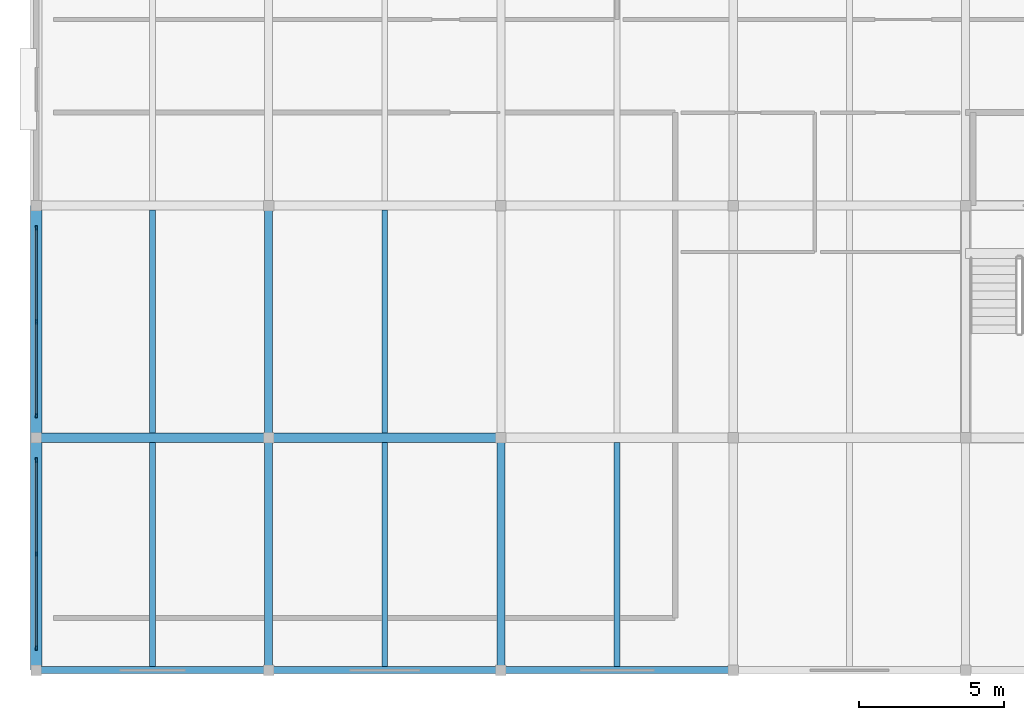
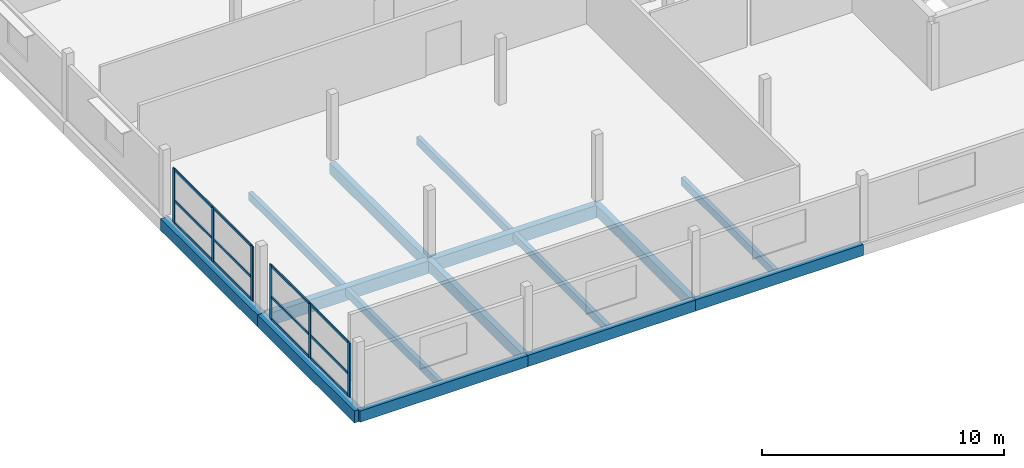
# One storey, part 3 of 22: 18 members, 15 beams, 2 elements without a shape of their own.
"""IFC4 building model written with IfcOpenShell, lengths in metres."""

from ifc_helpers import new_model, si_unit, direction, frame, origin, origin_2d, place, context, subcontext, project, spatial, rectangle, extrude, material, material_profile, profile_set, type_object, element, aggregate, save


model = new_model("IFC4")

# Units and contexts
model_context = context("Model", 3, precision=1e-05, world=origin(), true_north=direction((0.0, 1.0)))
body_context = subcontext(model_context, "Body", "Model", "MODEL_VIEW")
ifc_project = project(units=[si_unit("LENGTHUNIT", "METRE"), si_unit("AREAUNIT", "SQUARE_METRE"), si_unit("VOLUMEUNIT", "CUBIC_METRE"), si_unit("PLANEANGLEUNIT", "RADIAN"), si_unit("MASSUNIT", "GRAM", prefix="KILO")], contexts=[model_context])

# Site, building, storey
site_placement = place(None, origin())
site = spatial("IfcSite", under=ifc_project, at=site_placement, CompositionType="ELEMENT")
building_placement = place(site_placement, origin())
building = spatial("IfcBuilding", under=site, at=building_placement, Name="Vharandega Faculty of Natural Sciences", CompositionType="ELEMENT")
storey_placement = place(building_placement, frame((0.0, 0.0, 28.800048828125)))
storey = spatial("IfcBuildingStorey", under=building, at=storey_placement, Name="L07", CompositionType="ELEMENT", Elevation=28.800048828125)

# Curtain wall, members
ifc_material_1 = material(Name="Aluminium and solar-control glass curtain wall", Category="aluminium")
curtain_wall_type_1 = type_object("IfcCurtainWallType", Name="Unitised Curtain Wall System CW-02", PredefinedType="NOTDEFINED", material=ifc_material_1)
curtain_wall_1_placement = place(storey_placement, origin())
curtain_wall_1 = element("IfcCurtainWall", 1, at=curtain_wall_1_placement, inside=storey, type_object=curtain_wall_type_1, Name="Curtain Wall CW-L07-225", PredefinedType="NOTDEFINED")
ifc_material_2 = material(Name="Thermally broken aluminium 6063-T6", Category="aluminium")
ifc_material_profile_1 = material_profile(ifc_material_2, rectangle(XDim=0.06005859375, YDim=0.159912109375, at=origin_2d()), Name="ALU 60x160")
ifc_profile_set_1 = profile_set([ifc_material_profile_1], Name="Thermally broken aluminium 6063-T6")
member_type_1 = type_object("IfcMemberType", Name="CW Mullion 60x160", PredefinedType="MULLION", material=ifc_profile_set_1)
member_1_placement = place(storey_placement, frame((0.0, 32.77001953125, 0.0), z_axis=(0.0, 0.0, 1.0), x_axis=(-1.0, 0.0, 0.0)))
member_1 = element("IfcMember", 2, at=member_1_placement, type_object=member_type_1, Name="CW-02 mullion 1", PredefinedType="MULLION", context=body_context, shape_type="SweptSolid", body=[
    extrude(rectangle(XDim=0.06005859375, YDim=0.159912109375, at=origin_2d()), origin(), (0.0, 0.0, 1.0), 2.739990234375),
])
member_2_placement = place(storey_placement, frame((0.0, 36.0, 0.0), z_axis=(0.0, 0.0, 1.0), x_axis=(-1.0, 0.0, 0.0)))
member_2 = element("IfcMember", 3, at=member_2_placement, type_object=member_type_1, Name="CW-02 mullion 2", PredefinedType="MULLION", context=body_context, shape_type="SweptSolid", body=[
    extrude(rectangle(XDim=0.06005859375, YDim=0.159912109375, at=origin_2d()), origin(), (0.0, 0.0, 1.0), 2.739990234375),
])
member_3_placement = place(storey_placement, frame((0.0, 39.22998046875, 0.0), z_axis=(0.0, 0.0, 1.0), x_axis=(-1.0, 0.0, 0.0)))
member_3 = element("IfcMember", 4, at=member_3_placement, type_object=member_type_1, Name="CW-02 mullion 3", PredefinedType="MULLION", context=body_context, shape_type="SweptSolid", body=[
    extrude(rectangle(XDim=0.06005859375, YDim=0.159912109375, at=origin_2d()), origin(), (0.0, 0.0, 1.0), 2.739990234375),
])

ifc_material_3 = material(Name="Aluminium and solar-control glass curtain wall", Category="aluminium")
curtain_wall_type_2 = type_object("IfcCurtainWallType", Name="Unitised Curtain Wall System CW-03", PredefinedType="NOTDEFINED", material=ifc_material_3)
curtain_wall_2_placement = place(storey_placement, origin())
curtain_wall_2 = element("IfcCurtainWall", 5, at=curtain_wall_2_placement, inside=storey, type_object=curtain_wall_type_2, Name="Curtain Wall CW-L07-226", PredefinedType="NOTDEFINED")
member_4_placement = place(storey_placement, frame((0.0, 40.77001953125, 0.0), z_axis=(0.0, 0.0, 1.0), x_axis=(-1.0, 0.0, 0.0)))
member_4 = element("IfcMember", 6, at=member_4_placement, type_object=member_type_1, Name="CW-03 mullion 1", PredefinedType="MULLION", context=body_context, shape_type="SweptSolid", body=[
    extrude(rectangle(XDim=0.06005859375, YDim=0.159912109375, at=origin_2d()), origin(), (0.0, 0.0, 1.0), 2.739990234375),
])
member_5_placement = place(storey_placement, frame((0.0, 44.0, 0.0), z_axis=(0.0, 0.0, 1.0), x_axis=(-1.0, 0.0, 0.0)))
member_5 = element("IfcMember", 7, at=member_5_placement, type_object=member_type_1, Name="CW-03 mullion 2", PredefinedType="MULLION", context=body_context, shape_type="SweptSolid", body=[
    extrude(rectangle(XDim=0.06005859375, YDim=0.159912109375, at=origin_2d()), origin(), (0.0, 0.0, 1.0), 2.739990234375),
])
member_6_placement = place(storey_placement, frame((0.0, 47.22998046875, 0.0), z_axis=(0.0, 0.0, 1.0), x_axis=(-1.0, 0.0, 0.0)))
member_6 = element("IfcMember", 8, at=member_6_placement, type_object=member_type_1, Name="CW-03 mullion 3", PredefinedType="MULLION", context=body_context, shape_type="SweptSolid", body=[
    extrude(rectangle(XDim=0.06005859375, YDim=0.159912109375, at=origin_2d()), origin(), (0.0, 0.0, 1.0), 2.739990234375),
])

# Member
ifc_material_4 = material(Name="Thermally broken aluminium 6063-T6", Category="aluminium")
ifc_material_profile_2 = material_profile(ifc_material_4, rectangle(XDim=0.06005859375, YDim=0.1201171875, at=origin_2d()), Name="ALU 60x120")
ifc_profile_set_2 = profile_set([ifc_material_profile_2], Name="Thermally broken aluminium 6063-T6")
member_type_2 = type_object("IfcMemberType", Name="CW Transom 60x120", PredefinedType="USERDEFINED", material=ifc_profile_set_2)
member_7_placement = place(storey_placement, frame((0.0, 32.800048828125, 0.030029296875), z_axis=(0.0, 1.0, 0.0), x_axis=(-1.0, 0.0, 0.0)))
member_7 = element("IfcMember", 9, at=member_7_placement, type_object=member_type_2, Name="CW-02 transom 1.1", ObjectType="TRANSOM", PredefinedType="USERDEFINED", context=body_context, shape_type="SweptSolid", body=[
    extrude(rectangle(XDim=0.06005859375, YDim=0.1201171875, at=origin_2d()), origin(), (0.0, 0.0, 1.0), 3.169921875),
])

member_8_placement = place(storey_placement, frame((0.0, 32.800048828125, 1.150634765625), z_axis=(0.0, 1.0, 0.0), x_axis=(-1.0, 0.0, 0.0)))
member_8 = element("IfcMember", 10, at=member_8_placement, type_object=member_type_2, Name="CW-02 transom 1.2", ObjectType="TRANSOM", PredefinedType="USERDEFINED", context=body_context, shape_type="SweptSolid", body=[
    extrude(rectangle(XDim=0.06005859375, YDim=0.1201171875, at=origin_2d()), origin(), (0.0, 0.0, 1.0), 3.169921875),
])

member_9_placement = place(storey_placement, frame((0.0, 32.800048828125, 2.7099609375), z_axis=(0.0, 1.0, 0.0), x_axis=(-1.0, 0.0, 0.0)))
member_9 = element("IfcMember", 11, at=member_9_placement, type_object=member_type_2, Name="CW-02 transom 1.3", ObjectType="TRANSOM", PredefinedType="USERDEFINED", context=body_context, shape_type="SweptSolid", body=[
    extrude(rectangle(XDim=0.06005859375, YDim=0.1201171875, at=origin_2d()), origin(), (0.0, 0.0, 1.0), 3.169921875),
])

member_10_placement = place(storey_placement, frame((0.0, 36.030029296875, 0.030029296875), z_axis=(0.0, 1.0, 0.0), x_axis=(-1.0, 0.0, 0.0)))
member_10 = element("IfcMember", 12, at=member_10_placement, type_object=member_type_2, Name="CW-02 transom 2.1", ObjectType="TRANSOM", PredefinedType="USERDEFINED", context=body_context, shape_type="SweptSolid", body=[
    extrude(rectangle(XDim=0.06005859375, YDim=0.1201171875, at=origin_2d()), origin(), (0.0, 0.0, 1.0), 3.169921875),
])

member_11_placement = place(storey_placement, frame((0.0, 36.030029296875, 1.150634765625), z_axis=(0.0, 1.0, 0.0), x_axis=(-1.0, 0.0, 0.0)))
member_11 = element("IfcMember", 13, at=member_11_placement, type_object=member_type_2, Name="CW-02 transom 2.2", ObjectType="TRANSOM", PredefinedType="USERDEFINED", context=body_context, shape_type="SweptSolid", body=[
    extrude(rectangle(XDim=0.06005859375, YDim=0.1201171875, at=origin_2d()), origin(), (0.0, 0.0, 1.0), 3.169921875),
])

member_12_placement = place(storey_placement, frame((0.0, 36.030029296875, 2.7099609375), z_axis=(0.0, 1.0, 0.0), x_axis=(-1.0, 0.0, 0.0)))
member_12 = element("IfcMember", 14, at=member_12_placement, type_object=member_type_2, Name="CW-02 transom 2.3", ObjectType="TRANSOM", PredefinedType="USERDEFINED", context=body_context, shape_type="SweptSolid", body=[
    extrude(rectangle(XDim=0.06005859375, YDim=0.1201171875, at=origin_2d()), origin(), (0.0, 0.0, 1.0), 3.169921875),
])

aggregate(curtain_wall_1, [member_1, member_2, member_3, member_7, member_8, member_9, member_10, member_11, member_12])

member_13_placement = place(storey_placement, frame((0.0, 40.800048828125, 0.030029296875), z_axis=(0.0, 1.0, 0.0), x_axis=(-1.0, 0.0, 0.0)))
member_13 = element("IfcMember", 15, at=member_13_placement, type_object=member_type_2, Name="CW-03 transom 1.1", ObjectType="TRANSOM", PredefinedType="USERDEFINED", context=body_context, shape_type="SweptSolid", body=[
    extrude(rectangle(XDim=0.06005859375, YDim=0.1201171875, at=origin_2d()), origin(), (0.0, 0.0, 1.0), 3.169921875),
])

member_14_placement = place(storey_placement, frame((0.0, 40.800048828125, 1.150634765625), z_axis=(0.0, 1.0, 0.0), x_axis=(-1.0, 0.0, 0.0)))
member_14 = element("IfcMember", 16, at=member_14_placement, type_object=member_type_2, Name="CW-03 transom 1.2", ObjectType="TRANSOM", PredefinedType="USERDEFINED", context=body_context, shape_type="SweptSolid", body=[
    extrude(rectangle(XDim=0.06005859375, YDim=0.1201171875, at=origin_2d()), origin(), (0.0, 0.0, 1.0), 3.169921875),
])

member_15_placement = place(storey_placement, frame((0.0, 40.800048828125, 2.7099609375), z_axis=(0.0, 1.0, 0.0), x_axis=(-1.0, 0.0, 0.0)))
member_15 = element("IfcMember", 17, at=member_15_placement, type_object=member_type_2, Name="CW-03 transom 1.3", ObjectType="TRANSOM", PredefinedType="USERDEFINED", context=body_context, shape_type="SweptSolid", body=[
    extrude(rectangle(XDim=0.06005859375, YDim=0.1201171875, at=origin_2d()), origin(), (0.0, 0.0, 1.0), 3.169921875),
])

member_16_placement = place(storey_placement, frame((0.0, 44.030029296875, 0.030029296875), z_axis=(0.0, 1.0, 0.0), x_axis=(-1.0, 0.0, 0.0)))
member_16 = element("IfcMember", 18, at=member_16_placement, type_object=member_type_2, Name="CW-03 transom 2.1", ObjectType="TRANSOM", PredefinedType="USERDEFINED", context=body_context, shape_type="SweptSolid", body=[
    extrude(rectangle(XDim=0.06005859375, YDim=0.1201171875, at=origin_2d()), origin(), (0.0, 0.0, 1.0), 3.169921875),
])

member_17_placement = place(storey_placement, frame((0.0, 44.030029296875, 1.150634765625), z_axis=(0.0, 1.0, 0.0), x_axis=(-1.0, 0.0, 0.0)))
member_17 = element("IfcMember", 19, at=member_17_placement, type_object=member_type_2, Name="CW-03 transom 2.2", ObjectType="TRANSOM", PredefinedType="USERDEFINED", context=body_context, shape_type="SweptSolid", body=[
    extrude(rectangle(XDim=0.06005859375, YDim=0.1201171875, at=origin_2d()), origin(), (0.0, 0.0, 1.0), 3.169921875),
])

member_18_placement = place(storey_placement, frame((0.0, 44.030029296875, 2.7099609375), z_axis=(0.0, 1.0, 0.0), x_axis=(-1.0, 0.0, 0.0)))
member_18 = element("IfcMember", 20, at=member_18_placement, type_object=member_type_2, Name="CW-03 transom 2.3", ObjectType="TRANSOM", PredefinedType="USERDEFINED", context=body_context, shape_type="SweptSolid", body=[
    extrude(rectangle(XDim=0.06005859375, YDim=0.1201171875, at=origin_2d()), origin(), (0.0, 0.0, 1.0), 3.169921875),
])

aggregate(curtain_wall_2, [member_4, member_5, member_6, member_13, member_14, member_15, member_16, member_17, member_18])

# Beams
ifc_material_5 = material(Name="Glulam GL28h", Category="wood")
ifc_material_profile_3 = material_profile(ifc_material_5, rectangle(XDim=0.280029296875, YDim=0.56005859375, at=origin_2d()), Name="GL28h 280x560")
ifc_profile_set_3 = profile_set([ifc_material_profile_3], Name="Glulam GL28h")
beam_type_1 = type_object("IfcBeamType", Name="Glulam Floor Beam 280x560", PredefinedType="BEAM", material=ifc_profile_set_3)
for number, where, z_axis, x_axis, name in (
    (21, (8.0, 32.0, -0.47998046875), (0.0, 1.0, 0.0), (-1.0, 0.0, 0.0), "Beam L07 2/E-F"),
    (22, (8.0, 40.0, -0.47998046875), (0.0, 1.0, 0.0), (-1.0, 0.0, 0.0), "Beam L07 2/F-G"),
    (23, (16.0, 32.0, -0.47998046875), (0.0, 1.0, 0.0), (-1.0, 0.0, 0.0), "Beam L07 3/E-F"),
):
    element("IfcBeam", number, at=place(storey_placement, frame(where, z_axis=z_axis, x_axis=x_axis)), inside=storey, type_object=beam_type_1, Name=name, PredefinedType="BEAM", context=body_context, shape_type="SweptSolid", body=[
        extrude(rectangle(XDim=0.280029296875, YDim=0.56005859375, at=origin_2d()), origin(), (0.0, 0.0, 1.0), 8.0),
    ])
ifc_material_6 = material(Name="Glulam GL28h", Category="wood")
ifc_material_profile_4 = material_profile(ifc_material_6, rectangle(XDim=0.320068359375, YDim=0.639892578125, at=origin_2d()), Name="GL28h 320x640")
ifc_profile_set_4 = profile_set([ifc_material_profile_4], Name="Glulam GL28h")
beam_type_2 = type_object("IfcBeamType", Name="Glulam Floor Beam 320x640", PredefinedType="BEAM", material=ifc_profile_set_4)
for number, where, z_axis, x_axis, name in (
    (24, (0.0, 40.0, -0.52001953125), (1.0, 0.0, 0.0), (0.0, 1.0, 0.0), "Beam L07 F/1-2"),
    (25, (8.0, 40.0, -0.52001953125), (1.0, 0.0, 0.0), (0.0, 1.0, 0.0), "Beam L07 F/2-3"),
):
    element("IfcBeam", number, at=place(storey_placement, frame(where, z_axis=z_axis, x_axis=x_axis)), inside=storey, type_object=beam_type_2, Name=name, PredefinedType="BEAM", context=body_context, shape_type="SweptSolid", body=[
        extrude(rectangle(XDim=0.320068359375, YDim=0.639892578125, at=origin_2d()), origin(), (0.0, 0.0, 1.0), 8.0),
    ])
ifc_material_7 = material(Name="Glulam GL28h", Category="wood")
ifc_material_profile_5 = material_profile(ifc_material_7, rectangle(XDim=0.199951171875, YDim=0.39990234375, at=origin_2d()), Name="GL28h 200x400")
ifc_profile_set_5 = profile_set([ifc_material_profile_5], Name="Glulam GL28h")
beam_type_3 = type_object("IfcBeamType", Name="Glulam Secondary Joist 200x400", PredefinedType="JOIST", material=ifc_profile_set_5)
beam_1_placement = place(storey_placement, frame((4.0, 32.1201171875, -0.400146484375), z_axis=(0.0, 1.0, 0.0), x_axis=(-1.0, 0.0, 0.0)))
element("IfcBeam", 26, at=beam_1_placement, inside=storey, type_object=beam_type_3, Name="Secondary Joist L07 1-2/E-F", PredefinedType="JOIST", context=body_context, shape_type="SweptSolid", body=[
    extrude(rectangle(XDim=0.199951171875, YDim=0.39990234375, at=origin_2d()), origin(), (0.0, 0.0, 1.0), 7.719970703125),
])
beam_2_placement = place(storey_placement, frame((4.0, 40.159912109375, -0.400146484375), z_axis=(0.0, 1.0, 0.0), x_axis=(-1.0, 0.0, 0.0)))
element("IfcBeam", 27, at=beam_2_placement, inside=storey, type_object=beam_type_3, Name="Secondary Joist L07 1-2/F-G", PredefinedType="JOIST", context=body_context, shape_type="SweptSolid", body=[
    extrude(rectangle(XDim=0.199951171875, YDim=0.39990234375, at=origin_2d()), origin(), (0.0, 0.0, 1.0), 7.68017578125),
])
beam_3_placement = place(storey_placement, frame((12.0, 32.1201171875, -0.400146484375), z_axis=(0.0, 1.0, 0.0), x_axis=(-1.0, 0.0, 0.0)))
element("IfcBeam", 28, at=beam_3_placement, inside=storey, type_object=beam_type_3, Name="Secondary Joist L07 2-3/E-F", PredefinedType="JOIST", context=body_context, shape_type="SweptSolid", body=[
    extrude(rectangle(XDim=0.199951171875, YDim=0.39990234375, at=origin_2d()), origin(), (0.0, 0.0, 1.0), 7.719970703125),
])
beam_4_placement = place(storey_placement, frame((12.0, 40.159912109375, -0.400146484375), z_axis=(0.0, 1.0, 0.0), x_axis=(-1.0, 0.0, 0.0)))
element("IfcBeam", 29, at=beam_4_placement, inside=storey, type_object=beam_type_3, Name="Secondary Joist L07 2-3/F-G", PredefinedType="JOIST", context=body_context, shape_type="SweptSolid", body=[
    extrude(rectangle(XDim=0.199951171875, YDim=0.39990234375, at=origin_2d()), origin(), (0.0, 0.0, 1.0), 7.68017578125),
])
beam_5_placement = place(storey_placement, frame((20.0, 32.1201171875, -0.400146484375), z_axis=(0.0, 1.0, 0.0), x_axis=(-1.0, 0.0, 0.0)))
element("IfcBeam", 30, at=beam_5_placement, inside=storey, type_object=beam_type_3, Name="Secondary Joist L07 3-4/E-F", PredefinedType="JOIST", context=body_context, shape_type="SweptSolid", body=[
    extrude(rectangle(XDim=0.199951171875, YDim=0.39990234375, at=origin_2d()), origin(), (0.0, 0.0, 1.0), 7.719970703125),
])
ifc_material_8 = material(Name="Glulam GL28h", Category="wood")
ifc_material_profile_6 = material_profile(ifc_material_8, rectangle(XDim=0.239990234375, YDim=0.56005859375, at=origin_2d()), Name="GL28h 240x560")
ifc_profile_set_6 = profile_set([ifc_material_profile_6], Name="Glulam GL28h")
beam_type_4 = type_object("IfcBeamType", Name="Glulam Spandrel Edge Beam 240x560", PredefinedType="SPANDREL", material=ifc_profile_set_6)
for number, where, z_axis, x_axis, name in (
    (31, (0.0, 32.0, -0.47998046875), (1.0, 0.0, 0.0), (0.0, 1.0, 0.0), "Beam L07 E/1-2"),
    (32, (8.0, 32.0, -0.47998046875), (1.0, 0.0, 0.0), (0.0, 1.0, 0.0), "Beam L07 E/2-3"),
    (33, (16.0, 32.0, -0.47998046875), (1.0, 0.0, 0.0), (0.0, 1.0, 0.0), "Beam L07 E/3-4"),
):
    element("IfcBeam", number, at=place(storey_placement, frame(where, z_axis=z_axis, x_axis=x_axis)), inside=storey, type_object=beam_type_4, Name=name, PredefinedType="SPANDREL", context=body_context, shape_type="SweptSolid", body=[
        extrude(rectangle(XDim=0.239990234375, YDim=0.56005859375, at=origin_2d()), origin(), (0.0, 0.0, 1.0), 8.0),
    ])
ifc_material_9 = material(Name="Glulam GL32h", Category="wood")
ifc_material_profile_7 = material_profile(ifc_material_9, rectangle(XDim=0.39990234375, YDim=0.60009765625, at=origin_2d()), Name="GL32h 400x600")
ifc_profile_set_7 = profile_set([ifc_material_profile_7], Name="Glulam GL32h")
beam_type_5 = type_object("IfcBeamType", Name="Glulam Spine Girder 400x600", PredefinedType="BEAM", material=ifc_profile_set_7)
for number, where, z_axis, x_axis, name in (
    (34, (0.0, 32.0, -0.5), (0.0, 1.0, 0.0), (-1.0, 0.0, 0.0), "Beam L07 1/E-F"),
    (35, (0.0, 40.0, -0.5), (0.0, 1.0, 0.0), (-1.0, 0.0, 0.0), "Beam L07 1/F-G"),
):
    element("IfcBeam", number, at=place(storey_placement, frame(where, z_axis=z_axis, x_axis=x_axis)), inside=storey, type_object=beam_type_5, Name=name, PredefinedType="BEAM", context=body_context, shape_type="SweptSolid", body=[
        extrude(rectangle(XDim=0.39990234375, YDim=0.60009765625, at=origin_2d()), origin(), (0.0, 0.0, 1.0), 8.0),
    ])

save(model, "model.ifc")
